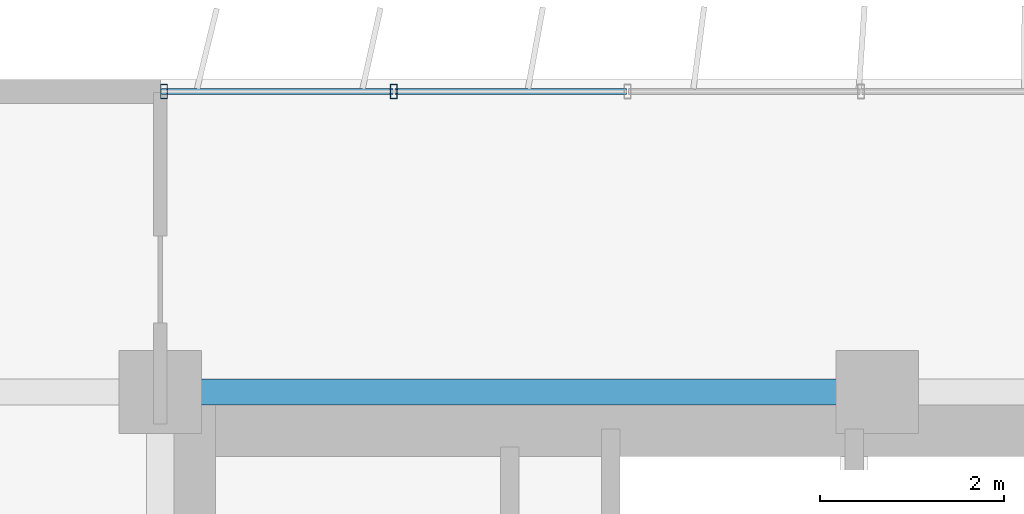
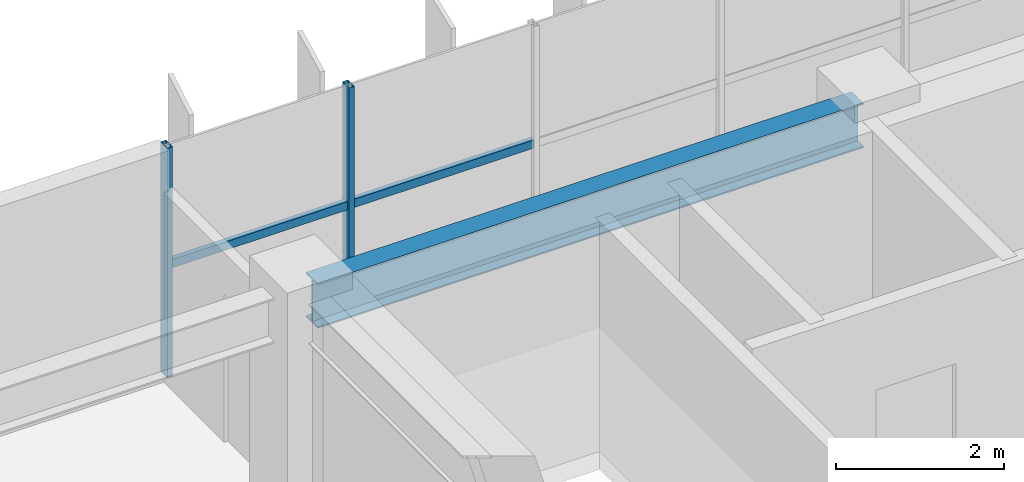
# One storey, part 5 of 22: 4 members, 1 beam, 1 element without a shape of its own.
"""IFC4 building model written with IfcOpenShell, lengths in metres."""

from ifc_helpers import new_model, si_unit, direction, frame, origin, origin_2d, place, context, subcontext, project, spatial, hollow_rectangle, i_section, extrude, source, transform, mapped, material, material_profile, profile_set, type_object, element, aggregate, save


model = new_model("IFC4")

# Units and contexts
model_context = context("Model", 3, precision=1e-05, world=origin(), true_north=direction((0.0, 1.0)))
body_context = subcontext(model_context, "Body", "Model", "MODEL_VIEW")
ifc_project = project(units=[si_unit("LENGTHUNIT", "METRE"), si_unit("AREAUNIT", "SQUARE_METRE"), si_unit("VOLUMEUNIT", "CUBIC_METRE"), si_unit("PLANEANGLEUNIT", "RADIAN"), si_unit("MASSUNIT", "GRAM", prefix="KILO")], contexts=[model_context])

# Site, building, storey
site_placement = place(None, origin())
site = spatial("IfcSite", under=ifc_project, at=site_placement, CompositionType="ELEMENT")
building_placement = place(site_placement, origin())
building = spatial("IfcBuilding", under=site, at=building_placement, Name="Trelvane Seafront Commons", CompositionType="ELEMENT")
storey_placement = place(building_placement, frame((0.0, 0.0, 52.300048828125)))
storey = spatial("IfcBuildingStorey", under=building, at=storey_placement, Name="L13", CompositionType="ELEMENT", Elevation=52.300048828125)

# Beam
ifc_material_1 = material(Name="Steel SM355 (S355)", Category="steel")
ifc_material_profile_1 = material_profile(ifc_material_1, i_section(OverallWidth=0.280029296875, OverallDepth=0.64990234375, WebThickness=0.012939453125, FlangeThickness=0.02197265625, at=origin_2d()), Name="H-650x280x13x22")
ifc_profile_set_1 = profile_set([ifc_material_profile_1], Name="Steel SM355 (S355)")
beam_type = type_object("IfcBeamType", Name="STR-BM-H650", PredefinedType="BEAM", material=ifc_profile_set_1)
shared_shape_1 = source(origin(), body_context, "Body", "SweptSolid", [
    extrude(i_section(OverallWidth=0.280029296875, OverallDepth=0.64990234375, WebThickness=0.012939453125, FlangeThickness=0.02197265625, at=origin_2d()), origin(), (0.0, 0.0, 1.0), 7.5),
])
beam_placement = place(storey_placement, frame((15.75, 45.10009765625, 3.014892578125), z_axis=(1.0, 0.0, 0.0), x_axis=(0.0, 1.0, 0.0)))
element("IfcBeam", 1, at=beam_placement, inside=storey, type_object=beam_type, Name="L13 Primary Girder G-30", PredefinedType="BEAM", context=body_context, shape_type="MappedRepresentation", body=[
    mapped(shared_shape_1, transform((0.0, 0.0, 0.0), x_axis=(1.0, 0.0, 0.0), y_axis=(0.0, 1.0, 0.0), z_axis=(0.0, 0.0, 1.0), scale=1.0)),
])

# Curtain wall, members
ifc_material_2 = material(Name="Anodised pale-silver aluminium", Category="aluminium")
curtain_wall_type = type_object("IfcCurtainWallType", Name="ARCH-CW2-LOWTOWER", PredefinedType="NOTDEFINED", material=ifc_material_2)
curtain_wall_placement = place(storey_placement, origin())
curtain_wall = element("IfcCurtainWall", 2, at=curtain_wall_placement, inside=storey, type_object=curtain_wall_type, Name="CW-L13-0037", PredefinedType="NOTDEFINED")
ifc_material_profile_2 = material_profile(ifc_material_2, hollow_rectangle(XDim=0.070068359375, YDim=0.1201171875, WallThickness=0.00390625, at=origin_2d()), Name="TRAN-70x120x4")
ifc_profile_set_2 = profile_set([ifc_material_profile_2], Name="Anodised pale-silver aluminium")
member_type_1 = type_object("IfcMemberType", Name="ARCH-CW-TRAN-120", PredefinedType="USERDEFINED", material=ifc_profile_set_2)
shared_shape_2 = source(origin(), body_context, "Body", "SweptSolid", [
    extrude(hollow_rectangle(XDim=0.070068359375, YDim=0.1201171875, WallThickness=0.00390625, at=origin_2d()), origin(), (0.0, 0.0, 1.0), 2.51708984375),
])
member_1_placement = place(storey_placement, frame((15.612060546875, 48.3701171875, 1.60302734375), z_axis=(1.0, 0.0, 0.0), x_axis=(0.0, 1.0, 0.0)))
member_1 = element("IfcMember", 3, at=member_1_placement, type_object=member_type_1, Name="CW-L13-0037-T00", ObjectType="TRANSOM", PredefinedType="USERDEFINED", context=body_context, shape_type="MappedRepresentation", body=[
    mapped(shared_shape_2, transform((0.0, 0.0, 0.0), x_axis=(1.0, 0.0, 0.0), y_axis=(0.0, 1.0, 0.0), z_axis=(0.0, 0.0, 1.0), scale=1.0)),
])
member_2_placement = place(storey_placement, frame((18.1533203125, 48.3701171875, 1.60302734375), z_axis=(1.0, 0.0, 0.0), x_axis=(0.0, 1.0, 0.0)))
member_2 = element("IfcMember", 4, at=member_2_placement, type_object=member_type_1, Name="CW-L13-0037-T01", ObjectType="TRANSOM", PredefinedType="USERDEFINED", context=body_context, shape_type="MappedRepresentation", body=[
    mapped(shared_shape_2, transform((0.0, 0.0, 0.0), x_axis=(1.0, 0.0, 0.0), y_axis=(0.0, 1.0, 0.0), z_axis=(0.0, 0.0, 1.0), scale=1.0)),
])
ifc_material_profile_3 = material_profile(ifc_material_2, hollow_rectangle(XDim=0.074951171875, YDim=0.159912109375, WallThickness=0.00390625, at=origin_2d()), Name="MULL-75x160x4")
ifc_profile_set_3 = profile_set([ifc_material_profile_3], Name="Anodised pale-silver aluminium")
member_type_2 = type_object("IfcMemberType", Name="ARCH-CW-MULL-160", PredefinedType="MULLION", material=ifc_profile_set_3)
shared_shape_3 = source(origin(), body_context, "Body", "SweptSolid", [
    extrude(hollow_rectangle(XDim=0.074951171875, YDim=0.159912109375, WallThickness=0.00390625, at=origin_2d()), origin(), (0.0, 0.0, 1.0), 3.33984375),
])
member_3_placement = place(storey_placement, frame((15.639892578125, 48.3701171875, 0.0), z_axis=(0.0, 0.0, 1.0), x_axis=(1.0, 0.0, 0.0)))
member_3 = element("IfcMember", 5, at=member_3_placement, type_object=member_type_2, Name="CW-L13-0037-M00", PredefinedType="MULLION", context=body_context, shape_type="MappedRepresentation", body=[
    mapped(shared_shape_3, transform((0.0, 0.0, 0.0), x_axis=(1.0, 0.0, 0.0), y_axis=(0.0, 1.0, 0.0), z_axis=(0.0, 0.0, 1.0), scale=1.0)),
])
member_4_placement = place(storey_placement, frame((18.14111328125, 48.3701171875, 0.0), z_axis=(0.0, 0.0, 1.0), x_axis=(1.0, 0.0, 0.0)))
member_4 = element("IfcMember", 6, at=member_4_placement, type_object=member_type_2, Name="CW-L13-0037-M01", PredefinedType="MULLION", context=body_context, shape_type="MappedRepresentation", body=[
    mapped(shared_shape_3, transform((0.0, 0.0, 0.0), x_axis=(1.0, 0.0, 0.0), y_axis=(0.0, 1.0, 0.0), z_axis=(0.0, 0.0, 1.0), scale=1.0)),
])
aggregate(curtain_wall, [member_3, member_4, member_1, member_2])

save(model, "model.ifc")
